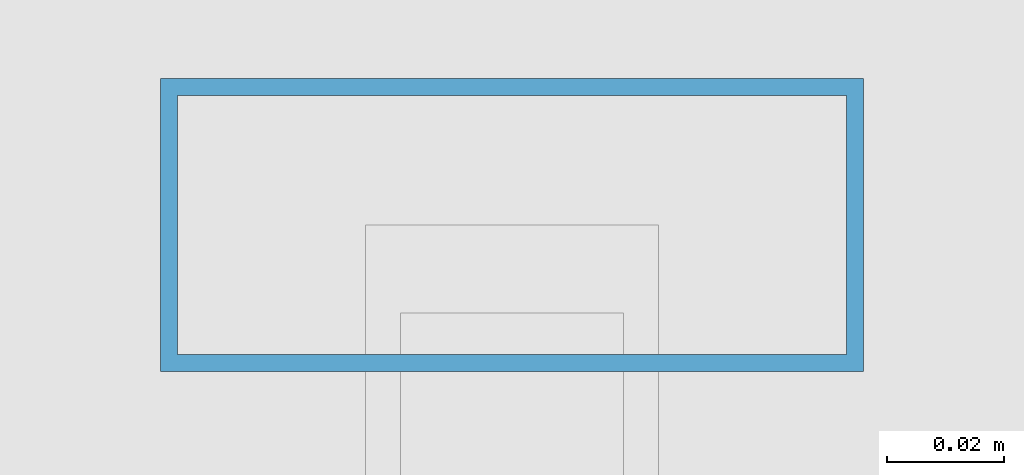
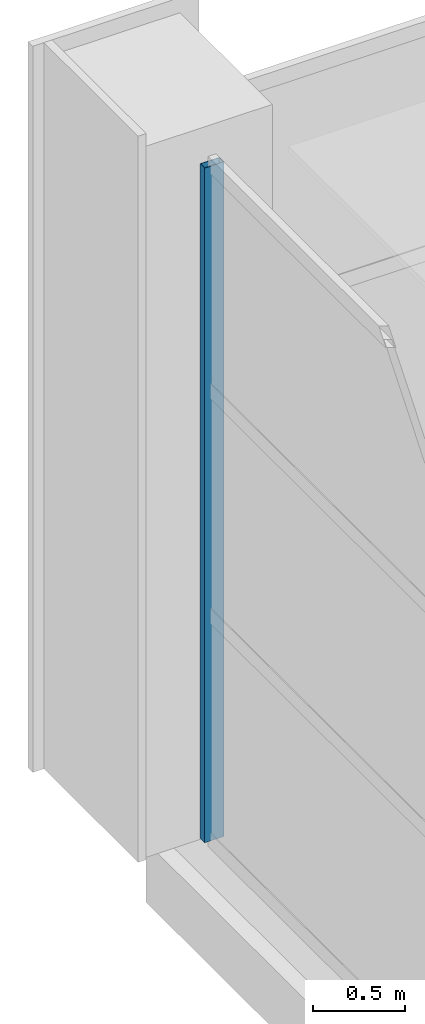
# One storey, part 62 of 112: 1 member, 1 element without a shape of its own.
"""IFC4 building model written with IfcOpenShell, lengths in metres."""

from ifc_helpers import new_model, si_unit, direction, frame, origin, origin_2d, place, context, subcontext, project, spatial, hollow_rectangle, extrude, material, material_profile, profile_set, type_object, element, aggregate, save


model = new_model("IFC4")

# Units and contexts
model_context = context("Model", 3, precision=1e-05, world=origin(), true_north=direction((0.0, 1.0)))
body_context = subcontext(model_context, "Body", "Model", "MODEL_VIEW")
ifc_project = project(units=[si_unit("LENGTHUNIT", "METRE"), si_unit("AREAUNIT", "SQUARE_METRE"), si_unit("VOLUMEUNIT", "CUBIC_METRE"), si_unit("PLANEANGLEUNIT", "RADIAN"), si_unit("MASSUNIT", "GRAM", prefix="KILO")], contexts=[model_context])

# Site, building, storey
site_placement = place(None, origin())
site = spatial("IfcSite", under=ifc_project, at=site_placement, CompositionType="ELEMENT")
building_placement = place(site_placement, origin())
building = spatial("IfcBuilding", under=site, at=building_placement, Name="Solvikara Media Centre", CompositionType="ELEMENT")
storey_placement = place(building_placement, frame((0.0, 0.0, 5.39990234375)))
storey = spatial("IfcBuildingStorey", under=building, at=storey_placement, Name="L01", CompositionType="ELEMENT", Elevation=5.39990234375)

# Curtain wall, member
ifc_material = material(Name="Anodised aluminium EN AW-6063", Category="aluminium")
curtain_wall_type = type_object("IfcCurtainWallType", Name="CW-12", PredefinedType="NOTDEFINED", material=ifc_material)
curtain_wall_placement = place(storey_placement, origin())
curtain_wall = element("IfcCurtainWall", 1, at=curtain_wall_placement, inside=storey, type_object=curtain_wall_type, Name="CW-L01-V2W-S6", PredefinedType="NOTDEFINED")
ifc_material_profile = material_profile(ifc_material, hollow_rectangle(XDim=0.050048828125, YDim=0.1201171875, WallThickness=0.0029296875, at=origin_2d()), Name="ALU-M 50x120x3")
ifc_profile_set = profile_set([ifc_material_profile], Name="Anodised aluminium EN AW-6063")
member_type = type_object("IfcMemberType", Name="MF-06", PredefinedType="MULLION", material=ifc_profile_set)
member_placement = place(storey_placement, frame((127.5, 113.4599609375, 0.02001953125), z_axis=(0.0, 0.0, 1.0), x_axis=(0.0, 1.0, 0.0)))
member = element("IfcMember", 2, at=member_placement, type_object=member_type, Name="CW-L01-V2W-S6-M02", PredefinedType="MULLION", context=body_context, shape_type="SweptSolid", body=[
    extrude(hollow_rectangle(XDim=0.050048828125, YDim=0.1201171875, WallThickness=0.0029296875, at=origin_2d()), origin(), (0.0, 0.0, 1.0), 4.4599609375),
])
aggregate(curtain_wall, [member])

save(model, "model.ifc")
